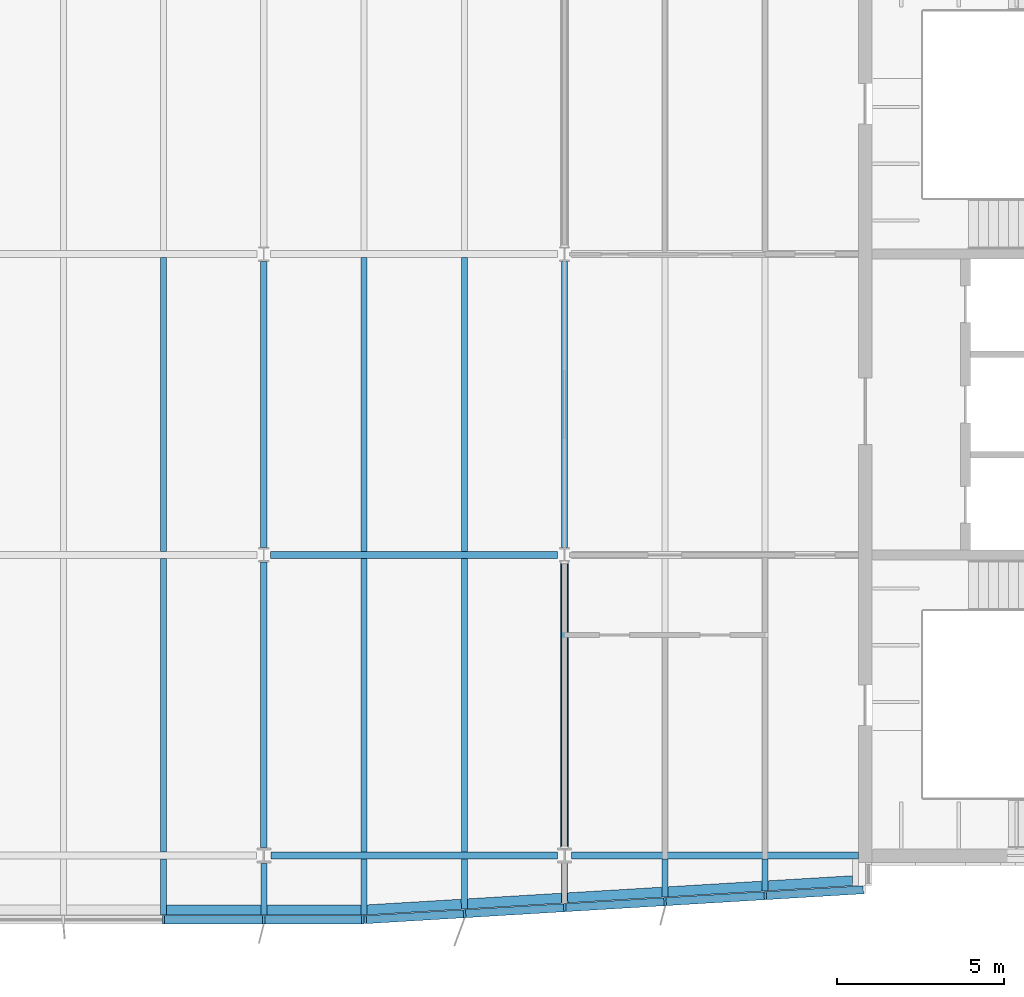
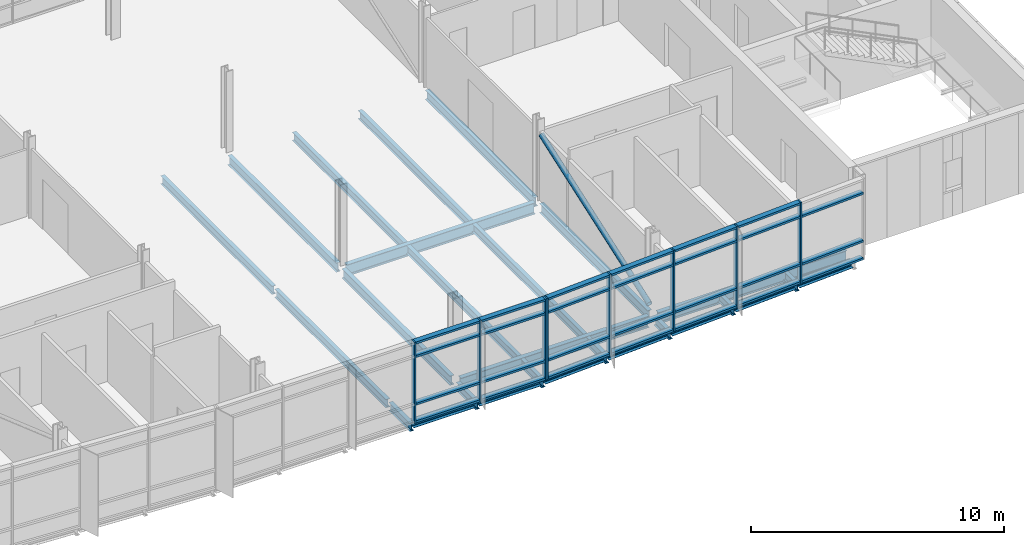
# One storey, part 5 of 20: 36 members, 27 beams, 2 elements without a shape of their own.
"""IFC4 building model written with IfcOpenShell, lengths in metres."""

from ifc_helpers import new_model, si_unit, direction, frame, origin, origin_2d, place, context, subcontext, project, spatial, rectangle, hollow_circle, i_section, extrude, material, material_profile, profile_set, type_object, element, aggregate, save


model = new_model("IFC4")

# Units and contexts
model_context = context("Model", 3, precision=1e-05, world=origin(), true_north=direction((0.0, 1.0)))
body_context = subcontext(model_context, "Body", "Model", "MODEL_VIEW")
ifc_project = project(units=[si_unit("LENGTHUNIT", "METRE"), si_unit("AREAUNIT", "SQUARE_METRE"), si_unit("VOLUMEUNIT", "CUBIC_METRE"), si_unit("PLANEANGLEUNIT", "RADIAN"), si_unit("MASSUNIT", "GRAM", prefix="KILO")], contexts=[model_context])

# Site, building, storey
site_placement = place(None, origin())
site = spatial("IfcSite", under=ifc_project, at=site_placement, CompositionType="ELEMENT")
building_placement = place(site_placement, origin())
building = spatial("IfcBuilding", under=site, at=building_placement, Name="Azimuth Sports and Learning Centre", CompositionType="ELEMENT")
storey_placement = place(building_placement, frame((0.0, 0.0, 44.10009765625)))
storey = spatial("IfcBuildingStorey", under=building, at=storey_placement, Name="L09", CompositionType="ELEMENT", Elevation=44.10009765625)

# Beams
ifc_material_1 = material(Name="Steel S355", Category="steel")
ifc_material_profile_1 = material_profile(ifc_material_1, i_section(OverallWidth=0.18994140625, OverallDepth=0.449951171875, WebThickness=0.009521484375, FlangeThickness=0.0146484375, FilletRadius=0.02099609375, at=origin_2d()), Name="IPE 450")
ifc_profile_set_1 = profile_set([ifc_material_profile_1], Name="Steel S355")
beam_type_1 = type_object("IfcBeamType", Name="Beam IPE 450", PredefinedType="BEAM", material=ifc_profile_set_1)
beam_1_placement = place(storey_placement, frame((90.0, 90.237060546875, -0.35498046875), z_axis=(0.0, 1.0, 0.0), x_axis=(-1.0, 0.0, 0.0)))
element("IfcBeam", 1, at=beam_1_placement, inside=storey, type_object=beam_type_1, Name="Tower tie", PredefinedType="BEAM", context=body_context, shape_type="SweptSolid", body=[
    extrude(i_section(OverallWidth=0.18994140625, OverallDepth=0.449951171875, WebThickness=0.009521484375, FlangeThickness=0.0146484375, FilletRadius=0.02099609375, at=origin_2d()), origin(), (0.0, 0.0, 1.0), 8.54541015625),
])
beam_2_placement = place(storey_placement, frame((90.0, 99.217529296875, -0.35498046875), z_axis=(0.0, 1.0, 0.0), x_axis=(-1.0, 0.0, 0.0)))
element("IfcBeam", 2, at=beam_2_placement, inside=storey, type_object=beam_type_1, Name="Tower tie", PredefinedType="BEAM", context=body_context, shape_type="SweptSolid", body=[
    extrude(i_section(OverallWidth=0.18994140625, OverallDepth=0.449951171875, WebThickness=0.009521484375, FlangeThickness=0.0146484375, FilletRadius=0.02099609375, at=origin_2d()), origin(), (0.0, 0.0, 1.0), 8.56494140625),
])
beam_3_placement = place(storey_placement, frame((99.0, 90.237060546875, -0.35498046875), z_axis=(0.0, 1.0, 0.0), x_axis=(-1.0, 0.0, 0.0)))
element("IfcBeam", 3, at=beam_3_placement, inside=storey, type_object=beam_type_1, Name="Tower tie", PredefinedType="BEAM", context=body_context, shape_type="SweptSolid", body=[
    extrude(i_section(OverallWidth=0.18994140625, OverallDepth=0.449951171875, WebThickness=0.009521484375, FlangeThickness=0.0146484375, FilletRadius=0.02099609375, at=origin_2d()), origin(), (0.0, 0.0, 1.0), 8.54541015625),
])
beam_4_placement = place(storey_placement, frame((99.0, 99.217529296875, -0.35498046875), z_axis=(0.0, 1.0, 0.0), x_axis=(-1.0, 0.0, 0.0)))
element("IfcBeam", 4, at=beam_4_placement, inside=storey, type_object=beam_type_1, Name="Tower tie", PredefinedType="BEAM", context=body_context, shape_type="SweptSolid", body=[
    extrude(i_section(OverallWidth=0.18994140625, OverallDepth=0.449951171875, WebThickness=0.009521484375, FlangeThickness=0.0146484375, FilletRadius=0.02099609375, at=origin_2d()), origin(), (0.0, 0.0, 1.0), 8.56494140625),
])
ifc_material_2 = material(Name="Steel S355", Category="steel")
ifc_material_profile_2 = material_profile(ifc_material_2, i_section(OverallWidth=0.2099609375, OverallDepth=0.550048828125, WebThickness=0.010986328125, FlangeThickness=0.01708984375, FilletRadius=0.02392578125, at=origin_2d()), Name="IPE 550")
ifc_profile_set_2 = profile_set([ifc_material_profile_2], Name="Steel S355")
beam_type_2 = type_object("IfcBeamType", Name="Beam IPE 550", PredefinedType="BEAM", material=ifc_profile_set_2)
beam_5_placement = place(storey_placement, frame((90.2119140625, 90.0, -0.405029296875), z_axis=(1.0, 0.0, 0.0), x_axis=(0.0, 1.0, 0.0)))
element("IfcBeam", 5, at=beam_5_placement, inside=storey, type_object=beam_type_2, Name="Tower girder L09", PredefinedType="BEAM", context=body_context, shape_type="SweptSolid", body=[
    extrude(i_section(OverallWidth=0.2099609375, OverallDepth=0.550048828125, WebThickness=0.010986328125, FlangeThickness=0.01708984375, FilletRadius=0.02392578125, at=origin_2d()), origin(), (0.0, 0.0, 1.0), 8.576171875),
])
beam_6_placement = place(storey_placement, frame((99.2119140625, 90.0, -0.405029296875), z_axis=(1.0, 0.0, 0.0), x_axis=(0.0, 1.0, 0.0)))
element("IfcBeam", 6, at=beam_6_placement, inside=storey, type_object=beam_type_2, Name="Tower girder L09", PredefinedType="BEAM", context=body_context, shape_type="SweptSolid", body=[
    extrude(i_section(OverallWidth=0.2099609375, OverallDepth=0.550048828125, WebThickness=0.010986328125, FlangeThickness=0.01708984375, FilletRadius=0.02392578125, at=origin_2d()), origin(), (0.0, 0.0, 1.0), 8.588134765625),
])
beam_7_placement = place(storey_placement, frame((90.2060546875, 99.0, -0.405029296875), z_axis=(1.0, 0.0, 0.0), x_axis=(0.0, 1.0, 0.0)))
element("IfcBeam", 7, at=beam_7_placement, inside=storey, type_object=beam_type_2, Name="Tower girder L09", PredefinedType="BEAM", context=body_context, shape_type="SweptSolid", body=[
    extrude(i_section(OverallWidth=0.2099609375, OverallDepth=0.550048828125, WebThickness=0.010986328125, FlangeThickness=0.01708984375, FilletRadius=0.02392578125, at=origin_2d()), origin(), (0.0, 0.0, 1.0), 8.587890625),
])

# Member
ifc_material_3 = material(Name="Steel S355", Category="steel")
ifc_material_profile_3 = material_profile(ifc_material_3, hollow_circle(Radius=0.122314453125, WallThickness=0.012451171875, at=origin_2d()), Name="CHS 244.5x12.5")
ifc_profile_set_3 = profile_set([ifc_material_profile_3], Name="Steel S355")
member_type_1 = type_object("IfcMemberType", Name="Brace CHS 244.5x12.5", PredefinedType="BRACE", material=ifc_profile_set_3)
member_1_placement = place(storey_placement, frame((99.0, 90.247802734375, 0.169189453125), z_axis=(0.0, 0.94383599609, 0.330414304299), x_axis=(-1.0, 0.0, 0.0)))
element("IfcMember", 8, at=member_1_placement, inside=storey, type_object=member_type_1, Name="Tower brace 12 L09", PredefinedType="BRACE", context=body_context, shape_type="SweptSolid", body=[
    extrude(hollow_circle(Radius=0.122314453125, WallThickness=0.012451171875, at=origin_2d()), origin(), (0.0, 0.0, 1.0), 9.022705078125),
])

# Beams
ifc_material_4 = material(Name="Steel S355", Category="steel")
ifc_material_profile_4 = material_profile(ifc_material_4, i_section(OverallWidth=0.179931640625, OverallDepth=0.39990234375, WebThickness=0.008544921875, FlangeThickness=0.013427734375, FilletRadius=0.02099609375, at=origin_2d()), Name="IPE 400")
ifc_profile_set_4 = profile_set([ifc_material_profile_4], Name="Steel S355")
beam_type_3 = type_object("IfcBeamType", Name="Cantilever stub IPE 400", PredefinedType="JOIST", material=ifc_profile_set_4)
beam_8_placement = place(storey_placement, frame((87.0, 89.89501953125, -0.330078125), z_axis=(0.0, -1.0, 0.0), x_axis=(1.0, 0.0, 0.0)))
element("IfcBeam", 9, at=beam_8_placement, inside=storey, type_object=beam_type_3, Name="Tower cantilever stub", PredefinedType="JOIST", context=body_context, shape_type="SweptSolid", body=[
    extrude(i_section(OverallWidth=0.179931640625, OverallDepth=0.39990234375, WebThickness=0.008544921875, FlangeThickness=0.013427734375, FilletRadius=0.02099609375, at=origin_2d()), origin(), (0.0, 0.0, 1.0), 1.675048828125),
])
beam_9_placement = place(storey_placement, frame((90.0, 89.762939453125, -0.330078125), z_axis=(0.0, -1.0, 0.0), x_axis=(1.0, 0.0, 0.0)))
element("IfcBeam", 10, at=beam_9_placement, inside=storey, type_object=beam_type_3, Name="Tower cantilever stub", PredefinedType="JOIST", context=body_context, shape_type="SweptSolid", body=[
    extrude(i_section(OverallWidth=0.179931640625, OverallDepth=0.39990234375, WebThickness=0.008544921875, FlangeThickness=0.013427734375, FilletRadius=0.02099609375, at=origin_2d()), origin(), (0.0, 0.0, 1.0), 1.54296875),
])
beam_10_placement = place(storey_placement, frame((93.0, 89.89501953125, -0.330078125), z_axis=(0.0, -1.0, 0.0), x_axis=(1.0, 0.0, 0.0)))
element("IfcBeam", 11, at=beam_10_placement, inside=storey, type_object=beam_type_3, Name="Tower cantilever stub", PredefinedType="JOIST", context=body_context, shape_type="SweptSolid", body=[
    extrude(i_section(OverallWidth=0.179931640625, OverallDepth=0.39990234375, WebThickness=0.008544921875, FlangeThickness=0.013427734375, FilletRadius=0.02099609375, at=origin_2d()), origin(), (0.0, 0.0, 1.0), 1.675048828125),
])
beam_11_placement = place(storey_placement, frame((96.0, 89.89501953125, -0.330078125), z_axis=(0.0, -1.0, 0.0), x_axis=(1.0, 0.0, 0.0)))
element("IfcBeam", 12, at=beam_11_placement, inside=storey, type_object=beam_type_3, Name="Tower cantilever stub", PredefinedType="JOIST", context=body_context, shape_type="SweptSolid", body=[
    extrude(i_section(OverallWidth=0.179931640625, OverallDepth=0.39990234375, WebThickness=0.008544921875, FlangeThickness=0.013427734375, FilletRadius=0.02099609375, at=origin_2d()), origin(), (0.0, 0.0, 1.0), 1.4951171875),
])
beam_12_placement = place(storey_placement, frame((99.0, 89.762939453125, -0.330078125), z_axis=(0.0, -1.0, 0.0), x_axis=(1.0, 0.0, 0.0)))
element("IfcBeam", 13, at=beam_12_placement, inside=storey, type_object=beam_type_3, Name="Tower cantilever stub", PredefinedType="JOIST", context=body_context, shape_type="SweptSolid", body=[
    extrude(i_section(OverallWidth=0.179931640625, OverallDepth=0.39990234375, WebThickness=0.008544921875, FlangeThickness=0.013427734375, FilletRadius=0.02099609375, at=origin_2d()), origin(), (0.0, 0.0, 1.0), 1.182861328125),
])
beam_13_placement = place(storey_placement, frame((102.0, 89.89501953125, -0.330078125), z_axis=(0.0, -1.0, 0.0), x_axis=(1.0, 0.0, 0.0)))
element("IfcBeam", 14, at=beam_13_placement, inside=storey, type_object=beam_type_3, Name="Tower cantilever stub", PredefinedType="JOIST", context=body_context, shape_type="SweptSolid", body=[
    extrude(i_section(OverallWidth=0.179931640625, OverallDepth=0.39990234375, WebThickness=0.008544921875, FlangeThickness=0.013427734375, FilletRadius=0.02099609375, at=origin_2d()), origin(), (0.0, 0.0, 1.0), 1.135009765625),
])
beam_14_placement = place(storey_placement, frame((105.0, 89.89501953125, -0.330078125), z_axis=(0.0, -1.0, 0.0), x_axis=(1.0, 0.0, 0.0)))
element("IfcBeam", 15, at=beam_14_placement, inside=storey, type_object=beam_type_3, Name="Tower cantilever stub", PredefinedType="JOIST", context=body_context, shape_type="SweptSolid", body=[
    extrude(i_section(OverallWidth=0.179931640625, OverallDepth=0.39990234375, WebThickness=0.008544921875, FlangeThickness=0.013427734375, FilletRadius=0.02099609375, at=origin_2d()), origin(), (0.0, 0.0, 1.0), 0.955078125),
])
ifc_material_5 = material(Name="Steel S355", Category="steel")
ifc_material_profile_5 = material_profile(ifc_material_5, i_section(OverallWidth=0.300048828125, OverallDepth=0.2900390625, WebThickness=0.008544921875, FlangeThickness=0.013916015625, FilletRadius=0.027099609375, at=origin_2d()), Name="HEA 300")
ifc_profile_set_5 = profile_set([ifc_material_profile_5], Name="Steel S355")
beam_type_4 = type_object("IfcBeamType", Name="Edge beam HEA 300", PredefinedType="SPANDREL", material=ifc_profile_set_5)
for number, where, z_axis, x_axis, name in (
    (16, (87.090087890625, 88.3701171875, -0.275146484375), (1.0, 0.0, 0.0), (0.0, 1.0, 0.0), "Tower edge beam"),
    (17, (90.090087890625, 88.3701171875, -0.275146484375), (1.0, 0.0, 0.0), (0.0, 1.0, 0.0), "Tower edge beam"),
):
    element("IfcBeam", number, at=place(storey_placement, frame(where, z_axis=z_axis, x_axis=x_axis)), inside=storey, type_object=beam_type_4, Name=name, PredefinedType="SPANDREL", context=body_context, shape_type="SweptSolid", body=[
        extrude(i_section(OverallWidth=0.300048828125, OverallDepth=0.2900390625, WebThickness=0.008544921875, FlangeThickness=0.013916015625, FilletRadius=0.027099609375, at=origin_2d()), origin(), (0.0, 0.0, 1.0), 2.81982421875),
    ])
for number, where, z_axis, x_axis, name in (
    (18, (93.090087890625, 88.37548828125, -0.275146484375), (0.998204845466, 0.059892290728, 0.0), (-0.059892290728, 0.998204845466, 0.0), "Tower edge beam"),
    (19, (96.090087890625, 88.555419921875, -0.275146484375), (0.998204845466, 0.059892290728, 0.0), (-0.059892290728, 0.998204845466, 0.0), "Tower edge beam"),
    (20, (99.090087890625, 88.7353515625, -0.275146484375), (0.998204845466, 0.059892290728, 0.0), (-0.059892290728, 0.998204845466, 0.0), "Tower edge beam"),
    (21, (102.090087890625, 88.915283203125, -0.275146484375), (0.998199674899, 0.059978404708, 0.0), (-0.059978404708, 0.998199674899, 0.0), "Tower edge beam"),
):
    element("IfcBeam", number, at=place(storey_placement, frame(where, z_axis=z_axis, x_axis=x_axis)), inside=storey, type_object=beam_type_4, Name=name, PredefinedType="SPANDREL", context=body_context, shape_type="SweptSolid", body=[
        extrude(i_section(OverallWidth=0.300048828125, OverallDepth=0.2900390625, WebThickness=0.008544921875, FlangeThickness=0.013916015625, FilletRadius=0.027099609375, at=origin_2d()), origin(), (0.0, 0.0, 1.0), 2.824951171875),
    ])
beam_15_placement = place(storey_placement, frame((105.090087890625, 89.095458984375, -0.275146484375), z_axis=(0.998203578329, 0.059913405937, 0.0), x_axis=(-0.059913405937, 0.998203578329, 0.0)))
element("IfcBeam", 22, at=beam_15_placement, inside=storey, type_object=beam_type_4, Name="Tower edge beam", PredefinedType="SPANDREL", context=body_context, shape_type="SweptSolid", body=[
    extrude(i_section(OverallWidth=0.300048828125, OverallDepth=0.2900390625, WebThickness=0.008544921875, FlangeThickness=0.013916015625, FilletRadius=0.027099609375, at=origin_2d()), origin(), (0.0, 0.0, 1.0), 2.53466796875),
])
ifc_material_6 = material(Name="Steel S355", Category="steel")
ifc_material_profile_6 = material_profile(ifc_material_6, i_section(OverallWidth=0.179931640625, OverallDepth=0.39990234375, WebThickness=0.008544921875, FlangeThickness=0.013427734375, FilletRadius=0.02099609375, at=origin_2d()), Name="IPE 400")
ifc_profile_set_6 = profile_set([ifc_material_profile_6], Name="Steel S355")
beam_type_5 = type_object("IfcBeamType", Name="Joist IPE 400", PredefinedType="JOIST", material=ifc_profile_set_6)
for number, where, z_axis, x_axis, name in (
    (23, (87.0, 90.10498046875, -0.330078125), (0.0, 1.0, 0.0), (-1.0, 0.0, 0.0), "Tower joist"),
    (24, (87.0, 99.10498046875, -0.330078125), (0.0, 1.0, 0.0), (-1.0, 0.0, 0.0), "Tower joist"),
    (25, (93.0, 90.10498046875, -0.330078125), (0.0, 1.0, 0.0), (-1.0, 0.0, 0.0), "Tower joist"),
    (26, (93.0, 99.10498046875, -0.330078125), (0.0, 1.0, 0.0), (-1.0, 0.0, 0.0), "Tower joist"),
    (27, (96.0, 90.10498046875, -0.330078125), (0.0, 1.0, 0.0), (-1.0, 0.0, 0.0), "Tower joist"),
    (28, (96.0, 99.10498046875, -0.330078125), (0.0, 1.0, 0.0), (-1.0, 0.0, 0.0), "Tower joist"),
):
    element("IfcBeam", number, at=place(storey_placement, frame(where, z_axis=z_axis, x_axis=x_axis)), inside=storey, type_object=beam_type_5, Name=name, PredefinedType="JOIST", context=body_context, shape_type="SweptSolid", body=[
        extrude(i_section(OverallWidth=0.179931640625, OverallDepth=0.39990234375, WebThickness=0.008544921875, FlangeThickness=0.013427734375, FilletRadius=0.02099609375, at=origin_2d()), origin(), (0.0, 0.0, 1.0), 8.7900390625),
    ])

# Curtain wall, members
ifc_material_7 = material(Name="Aluminium and glass", Category="aluminium")
curtain_wall_type = type_object("IfcCurtainWallType", Name="Curtain wall tower south 240", PredefinedType="NOTDEFINED", material=ifc_material_7)
curtain_wall_1_placement = place(storey_placement, origin())
curtain_wall_1 = element("IfcCurtainWall", 29, at=curtain_wall_1_placement, inside=storey, type_object=curtain_wall_type, Name="Curtain wall CW09-003", PredefinedType="NOTDEFINED")
ifc_material_8 = material(Name="Aluminium", Category="aluminium")
ifc_material_profile_7 = material_profile(ifc_material_8, rectangle(XDim=0.239990234375, YDim=0.070068359375, at=origin_2d()), Name="Mullion 70x240")
ifc_profile_set_7 = profile_set([ifc_material_profile_7], Name="Aluminium")
member_type_2 = type_object("IfcMemberType", Name="Mullion 70x240", PredefinedType="MULLION", material=ifc_profile_set_7)
member_2_placement = place(storey_placement, frame((87.0, 88.080078125, 0.0), z_axis=(0.0, 0.0, 1.0), x_axis=(0.0, 1.0, 0.0)))
member_2 = element("IfcMember", 30, at=member_2_placement, type_object=member_type_2, Name="CW09-003 mullion 4", PredefinedType="MULLION", context=body_context, shape_type="SweptSolid", body=[
    extrude(rectangle(XDim=0.239990234375, YDim=0.070068359375, at=origin_2d()), origin(), (0.0, 0.0, 1.0), 3.89990234375),
])
member_3_placement = place(storey_placement, frame((90.0, 88.080078125, 0.0), z_axis=(0.0, 0.0, 1.0), x_axis=(0.0, 1.0, 0.0)))
member_3 = element("IfcMember", 31, at=member_3_placement, type_object=member_type_2, Name="CW09-003 mullion 5", PredefinedType="MULLION", context=body_context, shape_type="SweptSolid", body=[
    extrude(rectangle(XDim=0.239990234375, YDim=0.070068359375, at=origin_2d()), origin(), (0.0, 0.0, 1.0), 3.89990234375),
])
member_4_placement = place(storey_placement, frame((92.965087890625, 88.080078125, 0.0), z_axis=(0.0, 0.0, 1.0), x_axis=(0.0, 1.0, 0.0)))
member_4 = element("IfcMember", 32, at=member_4_placement, type_object=member_type_2, Name="CW09-003 mullion 6", PredefinedType="MULLION", context=body_context, shape_type="SweptSolid", body=[
    extrude(rectangle(XDim=0.239990234375, YDim=0.070068359375, at=origin_2d()), origin(), (0.0, 0.0, 1.0), 3.89990234375),
])

curtain_wall_2_placement = place(storey_placement, origin())
curtain_wall_2 = element("IfcCurtainWall", 33, at=curtain_wall_2_placement, inside=storey, type_object=curtain_wall_type, Name="Curtain wall CW09-004", PredefinedType="NOTDEFINED")
member_5_placement = place(storey_placement, frame((93.034912109375, 88.081787109375, 0.0), z_axis=(0.0, 0.0, 1.0), x_axis=(-0.059891991812, 0.998204863401, 0.0)))
member_5 = element("IfcMember", 34, at=member_5_placement, type_object=member_type_2, Name="CW09-004 mullion 1", PredefinedType="MULLION", context=body_context, shape_type="SweptSolid", body=[
    extrude(rectangle(XDim=0.239990234375, YDim=0.070068359375, at=origin_2d()), origin(), (0.0, 0.0, 1.0), 3.89990234375),
])
member_6_placement = place(storey_placement, frame((96.007080078125, 88.26025390625, 0.0), z_axis=(0.0, 0.0, 1.0), x_axis=(-0.059891991812, 0.998204863401, 0.0)))
member_6 = element("IfcMember", 35, at=member_6_placement, type_object=member_type_2, Name="CW09-004 mullion 2", PredefinedType="MULLION", context=body_context, shape_type="SweptSolid", body=[
    extrude(rectangle(XDim=0.239990234375, YDim=0.070068359375, at=origin_2d()), origin(), (0.0, 0.0, 1.0), 3.89990234375),
])
member_7_placement = place(storey_placement, frame((99.007080078125, 88.440185546875, 0.0), z_axis=(0.0, 0.0, 1.0), x_axis=(-0.059891991812, 0.998204863401, 0.0)))
member_7 = element("IfcMember", 36, at=member_7_placement, type_object=member_type_2, Name="CW09-004 mullion 3", PredefinedType="MULLION", context=body_context, shape_type="SweptSolid", body=[
    extrude(rectangle(XDim=0.239990234375, YDim=0.070068359375, at=origin_2d()), origin(), (0.0, 0.0, 1.0), 3.89990234375),
])
member_8_placement = place(storey_placement, frame((102.007080078125, 88.6201171875, 0.0), z_axis=(0.0, 0.0, 1.0), x_axis=(-0.059891991812, 0.998204863401, 0.0)))
member_8 = element("IfcMember", 37, at=member_8_placement, type_object=member_type_2, Name="CW09-004 mullion 4", PredefinedType="MULLION", context=body_context, shape_type="SweptSolid", body=[
    extrude(rectangle(XDim=0.239990234375, YDim=0.070068359375, at=origin_2d()), origin(), (0.0, 0.0, 1.0), 3.89990234375),
])
member_9_placement = place(storey_placement, frame((105.007080078125, 88.80029296875, 0.0), z_axis=(0.0, 0.0, 1.0), x_axis=(-0.059891991812, 0.998204863401, 0.0)))
member_9 = element("IfcMember", 38, at=member_9_placement, type_object=member_type_2, Name="CW09-004 mullion 5", PredefinedType="MULLION", context=body_context, shape_type="SweptSolid", body=[
    extrude(rectangle(XDim=0.239990234375, YDim=0.070068359375, at=origin_2d()), origin(), (0.0, 0.0, 1.0), 3.89990234375),
])

# Member
ifc_material_9 = material(Name="Aluminium", Category="aluminium")
ifc_material_profile_8 = material_profile(ifc_material_9, rectangle(XDim=0.239990234375, YDim=0.10009765625, at=origin_2d()), Name="Transom 100x240")
ifc_profile_set_8 = profile_set([ifc_material_profile_8], Name="Aluminium")
member_type_3 = type_object("IfcMemberType", Name="Transom 100x240", PredefinedType="USERDEFINED", material=ifc_profile_set_8)
member_10_placement = place(storey_placement, frame((87.034912109375, 88.080078125, 0.0498046875), z_axis=(1.0, 0.0, 0.0), x_axis=(0.0, 1.0, 0.0)))
member_10 = element("IfcMember", 39, at=member_10_placement, type_object=member_type_3, Name="CW09-003 transom 4.1", ObjectType="TRANSOM", PredefinedType="USERDEFINED", context=body_context, shape_type="SweptSolid", body=[
    extrude(rectangle(XDim=0.239990234375, YDim=0.10009765625, at=origin_2d()), origin(), (0.0, 0.0, 1.0), 2.93017578125),
])

member_11_placement = place(storey_placement, frame((87.034912109375, 88.080078125, 0.89990234375), z_axis=(1.0, 0.0, 0.0), x_axis=(0.0, 1.0, 0.0)))
member_11 = element("IfcMember", 40, at=member_11_placement, type_object=member_type_3, Name="CW09-003 transom 4.2", ObjectType="TRANSOM", PredefinedType="USERDEFINED", context=body_context, shape_type="SweptSolid", body=[
    extrude(rectangle(XDim=0.239990234375, YDim=0.10009765625, at=origin_2d()), origin(), (0.0, 0.0, 1.0), 2.93017578125),
])

member_12_placement = place(storey_placement, frame((87.034912109375, 88.080078125, 3.199951171875), z_axis=(1.0, 0.0, 0.0), x_axis=(0.0, 1.0, 0.0)))
member_12 = element("IfcMember", 41, at=member_12_placement, type_object=member_type_3, Name="CW09-003 transom 4.3", ObjectType="TRANSOM", PredefinedType="USERDEFINED", context=body_context, shape_type="SweptSolid", body=[
    extrude(rectangle(XDim=0.239990234375, YDim=0.10009765625, at=origin_2d()), origin(), (0.0, 0.0, 1.0), 2.93017578125),
])

member_13_placement = place(storey_placement, frame((87.034912109375, 88.080078125, 3.849853515625), z_axis=(1.0, 0.0, 0.0), x_axis=(0.0, 1.0, 0.0)))
member_13 = element("IfcMember", 42, at=member_13_placement, type_object=member_type_3, Name="CW09-003 transom 4.4", ObjectType="TRANSOM", PredefinedType="USERDEFINED", context=body_context, shape_type="SweptSolid", body=[
    extrude(rectangle(XDim=0.239990234375, YDim=0.10009765625, at=origin_2d()), origin(), (0.0, 0.0, 1.0), 2.93017578125),
])

member_14_placement = place(storey_placement, frame((90.034912109375, 88.080078125, 0.0498046875), z_axis=(1.0, 0.0, 0.0), x_axis=(0.0, 1.0, 0.0)))
member_14 = element("IfcMember", 43, at=member_14_placement, type_object=member_type_3, Name="CW09-003 transom 5.1", ObjectType="TRANSOM", PredefinedType="USERDEFINED", context=body_context, shape_type="SweptSolid", body=[
    extrude(rectangle(XDim=0.239990234375, YDim=0.10009765625, at=origin_2d()), origin(), (0.0, 0.0, 1.0), 2.89501953125),
])

member_15_placement = place(storey_placement, frame((90.034912109375, 88.080078125, 0.89990234375), z_axis=(1.0, 0.0, 0.0), x_axis=(0.0, 1.0, 0.0)))
member_15 = element("IfcMember", 44, at=member_15_placement, type_object=member_type_3, Name="CW09-003 transom 5.2", ObjectType="TRANSOM", PredefinedType="USERDEFINED", context=body_context, shape_type="SweptSolid", body=[
    extrude(rectangle(XDim=0.239990234375, YDim=0.10009765625, at=origin_2d()), origin(), (0.0, 0.0, 1.0), 2.89501953125),
])

member_16_placement = place(storey_placement, frame((90.034912109375, 88.080078125, 3.199951171875), z_axis=(1.0, 0.0, 0.0), x_axis=(0.0, 1.0, 0.0)))
member_16 = element("IfcMember", 45, at=member_16_placement, type_object=member_type_3, Name="CW09-003 transom 5.3", ObjectType="TRANSOM", PredefinedType="USERDEFINED", context=body_context, shape_type="SweptSolid", body=[
    extrude(rectangle(XDim=0.239990234375, YDim=0.10009765625, at=origin_2d()), origin(), (0.0, 0.0, 1.0), 2.89501953125),
])

member_17_placement = place(storey_placement, frame((90.034912109375, 88.080078125, 3.849853515625), z_axis=(1.0, 0.0, 0.0), x_axis=(0.0, 1.0, 0.0)))
member_17 = element("IfcMember", 46, at=member_17_placement, type_object=member_type_3, Name="CW09-003 transom 5.4", ObjectType="TRANSOM", PredefinedType="USERDEFINED", context=body_context, shape_type="SweptSolid", body=[
    extrude(rectangle(XDim=0.239990234375, YDim=0.10009765625, at=origin_2d()), origin(), (0.0, 0.0, 1.0), 2.89501953125),
])

aggregate(curtain_wall_1, [member_2, member_3, member_4, member_10, member_11, member_12, member_13, member_14, member_15, member_16, member_17])

member_18_placement = place(storey_placement, frame((93.06982421875, 88.083984375, 0.0498046875), z_axis=(0.998206250786, 0.059868864133, 0.0), x_axis=(-0.059868864133, 0.998206250786, 0.0)))
member_18 = element("IfcMember", 47, at=member_18_placement, type_object=member_type_3, Name="CW09-004 transom 1.1", ObjectType="TRANSOM", PredefinedType="USERDEFINED", context=body_context, shape_type="SweptSolid", body=[
    extrude(rectangle(XDim=0.239990234375, YDim=0.10009765625, at=origin_2d()), origin(), (0.0, 0.0, 1.0), 2.907470703125),
])

member_19_placement = place(storey_placement, frame((93.06982421875, 88.083984375, 0.89990234375), z_axis=(0.998206250786, 0.059868864133, 0.0), x_axis=(-0.059868864133, 0.998206250786, 0.0)))
member_19 = element("IfcMember", 48, at=member_19_placement, type_object=member_type_3, Name="CW09-004 transom 1.2", ObjectType="TRANSOM", PredefinedType="USERDEFINED", context=body_context, shape_type="SweptSolid", body=[
    extrude(rectangle(XDim=0.239990234375, YDim=0.10009765625, at=origin_2d()), origin(), (0.0, 0.0, 1.0), 2.907470703125),
])

member_20_placement = place(storey_placement, frame((93.06982421875, 88.083984375, 3.199951171875), z_axis=(0.998206250786, 0.059868864133, 0.0), x_axis=(-0.059868864133, 0.998206250786, 0.0)))
member_20 = element("IfcMember", 49, at=member_20_placement, type_object=member_type_3, Name="CW09-004 transom 1.3", ObjectType="TRANSOM", PredefinedType="USERDEFINED", context=body_context, shape_type="SweptSolid", body=[
    extrude(rectangle(XDim=0.239990234375, YDim=0.10009765625, at=origin_2d()), origin(), (0.0, 0.0, 1.0), 2.907470703125),
])

member_21_placement = place(storey_placement, frame((93.06982421875, 88.083984375, 3.849853515625), z_axis=(0.998206250786, 0.059868864133, 0.0), x_axis=(-0.059868864133, 0.998206250786, 0.0)))
member_21 = element("IfcMember", 50, at=member_21_placement, type_object=member_type_3, Name="CW09-004 transom 1.4", ObjectType="TRANSOM", PredefinedType="USERDEFINED", context=body_context, shape_type="SweptSolid", body=[
    extrude(rectangle(XDim=0.239990234375, YDim=0.10009765625, at=origin_2d()), origin(), (0.0, 0.0, 1.0), 2.907470703125),
])

member_22_placement = place(storey_placement, frame((96.042236328125, 88.26220703125, 0.0498046875), z_axis=(0.998200168103, 0.059970195917, 0.0), x_axis=(-0.059970195917, 0.998200168103, 0.0)))
member_22 = element("IfcMember", 51, at=member_22_placement, type_object=member_type_3, Name="CW09-004 transom 2.1", ObjectType="TRANSOM", PredefinedType="USERDEFINED", context=body_context, shape_type="SweptSolid", body=[
    extrude(rectangle(XDim=0.239990234375, YDim=0.10009765625, at=origin_2d()), origin(), (0.0, 0.0, 1.0), 2.935302734375),
])

member_23_placement = place(storey_placement, frame((96.042236328125, 88.26220703125, 0.89990234375), z_axis=(0.998200168103, 0.059970195917, 0.0), x_axis=(-0.059970195917, 0.998200168103, 0.0)))
member_23 = element("IfcMember", 52, at=member_23_placement, type_object=member_type_3, Name="CW09-004 transom 2.2", ObjectType="TRANSOM", PredefinedType="USERDEFINED", context=body_context, shape_type="SweptSolid", body=[
    extrude(rectangle(XDim=0.239990234375, YDim=0.10009765625, at=origin_2d()), origin(), (0.0, 0.0, 1.0), 2.935302734375),
])

member_24_placement = place(storey_placement, frame((96.042236328125, 88.26220703125, 3.199951171875), z_axis=(0.998200168103, 0.059970195917, 0.0), x_axis=(-0.059970195917, 0.998200168103, 0.0)))
member_24 = element("IfcMember", 53, at=member_24_placement, type_object=member_type_3, Name="CW09-004 transom 2.3", ObjectType="TRANSOM", PredefinedType="USERDEFINED", context=body_context, shape_type="SweptSolid", body=[
    extrude(rectangle(XDim=0.239990234375, YDim=0.10009765625, at=origin_2d()), origin(), (0.0, 0.0, 1.0), 2.935302734375),
])

member_25_placement = place(storey_placement, frame((96.042236328125, 88.26220703125, 3.849853515625), z_axis=(0.998200168103, 0.059970195917, 0.0), x_axis=(-0.059970195917, 0.998200168103, 0.0)))
member_25 = element("IfcMember", 54, at=member_25_placement, type_object=member_type_3, Name="CW09-004 transom 2.4", ObjectType="TRANSOM", PredefinedType="USERDEFINED", context=body_context, shape_type="SweptSolid", body=[
    extrude(rectangle(XDim=0.239990234375, YDim=0.10009765625, at=origin_2d()), origin(), (0.0, 0.0, 1.0), 2.935302734375),
])

member_26_placement = place(storey_placement, frame((99.042236328125, 88.4423828125, 0.0498046875), z_axis=(0.998205143816, 0.059887318019, 0.0), x_axis=(-0.059887318019, 0.998205143816, 0.0)))
member_26 = element("IfcMember", 55, at=member_26_placement, type_object=member_type_3, Name="CW09-004 transom 3.1", ObjectType="TRANSOM", PredefinedType="USERDEFINED", context=body_context, shape_type="SweptSolid", body=[
    extrude(rectangle(XDim=0.239990234375, YDim=0.10009765625, at=origin_2d()), origin(), (0.0, 0.0, 1.0), 2.935302734375),
])

member_27_placement = place(storey_placement, frame((99.042236328125, 88.4423828125, 0.89990234375), z_axis=(0.998205143816, 0.059887318019, 0.0), x_axis=(-0.059887318019, 0.998205143816, 0.0)))
member_27 = element("IfcMember", 56, at=member_27_placement, type_object=member_type_3, Name="CW09-004 transom 3.2", ObjectType="TRANSOM", PredefinedType="USERDEFINED", context=body_context, shape_type="SweptSolid", body=[
    extrude(rectangle(XDim=0.239990234375, YDim=0.10009765625, at=origin_2d()), origin(), (0.0, 0.0, 1.0), 2.935302734375),
])

member_28_placement = place(storey_placement, frame((99.042236328125, 88.4423828125, 3.199951171875), z_axis=(0.998205143816, 0.059887318019, 0.0), x_axis=(-0.059887318019, 0.998205143816, 0.0)))
member_28 = element("IfcMember", 57, at=member_28_placement, type_object=member_type_3, Name="CW09-004 transom 3.3", ObjectType="TRANSOM", PredefinedType="USERDEFINED", context=body_context, shape_type="SweptSolid", body=[
    extrude(rectangle(XDim=0.239990234375, YDim=0.10009765625, at=origin_2d()), origin(), (0.0, 0.0, 1.0), 2.935302734375),
])

member_29_placement = place(storey_placement, frame((99.042236328125, 88.4423828125, 3.849853515625), z_axis=(0.998205143816, 0.059887318019, 0.0), x_axis=(-0.059887318019, 0.998205143816, 0.0)))
member_29 = element("IfcMember", 58, at=member_29_placement, type_object=member_type_3, Name="CW09-004 transom 3.4", ObjectType="TRANSOM", PredefinedType="USERDEFINED", context=body_context, shape_type="SweptSolid", body=[
    extrude(rectangle(XDim=0.239990234375, YDim=0.10009765625, at=origin_2d()), origin(), (0.0, 0.0, 1.0), 2.935302734375),
])

member_30_placement = place(storey_placement, frame((102.042236328125, 88.622314453125, 0.0498046875), z_axis=(0.998205143816, 0.059887318019, 0.0), x_axis=(-0.059887318019, 0.998205143816, 0.0)))
member_30 = element("IfcMember", 59, at=member_30_placement, type_object=member_type_3, Name="CW09-004 transom 4.1", ObjectType="TRANSOM", PredefinedType="USERDEFINED", context=body_context, shape_type="SweptSolid", body=[
    extrude(rectangle(XDim=0.239990234375, YDim=0.10009765625, at=origin_2d()), origin(), (0.0, 0.0, 1.0), 2.935302734375),
])

member_31_placement = place(storey_placement, frame((102.042236328125, 88.622314453125, 0.89990234375), z_axis=(0.998205143816, 0.059887318019, 0.0), x_axis=(-0.059887318019, 0.998205143816, 0.0)))
member_31 = element("IfcMember", 60, at=member_31_placement, type_object=member_type_3, Name="CW09-004 transom 4.2", ObjectType="TRANSOM", PredefinedType="USERDEFINED", context=body_context, shape_type="SweptSolid", body=[
    extrude(rectangle(XDim=0.239990234375, YDim=0.10009765625, at=origin_2d()), origin(), (0.0, 0.0, 1.0), 2.935302734375),
])

member_32_placement = place(storey_placement, frame((102.042236328125, 88.622314453125, 3.199951171875), z_axis=(0.998205143816, 0.059887318019, 0.0), x_axis=(-0.059887318019, 0.998205143816, 0.0)))
member_32 = element("IfcMember", 61, at=member_32_placement, type_object=member_type_3, Name="CW09-004 transom 4.3", ObjectType="TRANSOM", PredefinedType="USERDEFINED", context=body_context, shape_type="SweptSolid", body=[
    extrude(rectangle(XDim=0.239990234375, YDim=0.10009765625, at=origin_2d()), origin(), (0.0, 0.0, 1.0), 2.935302734375),
])

member_33_placement = place(storey_placement, frame((102.042236328125, 88.622314453125, 3.849853515625), z_axis=(0.998205143816, 0.059887318019, 0.0), x_axis=(-0.059887318019, 0.998205143816, 0.0)))
member_33 = element("IfcMember", 62, at=member_33_placement, type_object=member_type_3, Name="CW09-004 transom 4.4", ObjectType="TRANSOM", PredefinedType="USERDEFINED", context=body_context, shape_type="SweptSolid", body=[
    extrude(rectangle(XDim=0.239990234375, YDim=0.10009765625, at=origin_2d()), origin(), (0.0, 0.0, 1.0), 2.935302734375),
])

member_34_placement = place(storey_placement, frame((105.042236328125, 88.80224609375, 0.0498046875), z_axis=(0.998202227529, 0.059935907067, 0.0), x_axis=(-0.059935907067, 0.998202227529, 0.0)))
member_34 = element("IfcMember", 63, at=member_34_placement, type_object=member_type_3, Name="CW09-004 transom 5.1", ObjectType="TRANSOM", PredefinedType="USERDEFINED", context=body_context, shape_type="SweptSolid", body=[
    extrude(rectangle(XDim=0.239990234375, YDim=0.10009765625, at=origin_2d()), origin(), (0.0, 0.0, 1.0), 2.900146484375),
])

member_35_placement = place(storey_placement, frame((105.042236328125, 88.80224609375, 0.89990234375), z_axis=(0.998202227529, 0.059935907067, 0.0), x_axis=(-0.059935907067, 0.998202227529, 0.0)))
member_35 = element("IfcMember", 64, at=member_35_placement, type_object=member_type_3, Name="CW09-004 transom 5.2", ObjectType="TRANSOM", PredefinedType="USERDEFINED", context=body_context, shape_type="SweptSolid", body=[
    extrude(rectangle(XDim=0.239990234375, YDim=0.10009765625, at=origin_2d()), origin(), (0.0, 0.0, 1.0), 2.900146484375),
])

member_36_placement = place(storey_placement, frame((105.042236328125, 88.80224609375, 3.199951171875), z_axis=(0.998202227529, 0.059935907067, 0.0), x_axis=(-0.059935907067, 0.998202227529, 0.0)))
member_36 = element("IfcMember", 65, at=member_36_placement, type_object=member_type_3, Name="CW09-004 transom 5.3", ObjectType="TRANSOM", PredefinedType="USERDEFINED", context=body_context, shape_type="SweptSolid", body=[
    extrude(rectangle(XDim=0.239990234375, YDim=0.10009765625, at=origin_2d()), origin(), (0.0, 0.0, 1.0), 2.900146484375),
])

aggregate(curtain_wall_2, [member_5, member_6, member_7, member_8, member_9, member_18, member_19, member_20, member_21, member_22, member_23, member_24, member_25, member_26, member_27, member_28, member_29, member_30, member_31, member_32, member_33, member_34, member_35, member_36])

save(model, "model.ifc")
